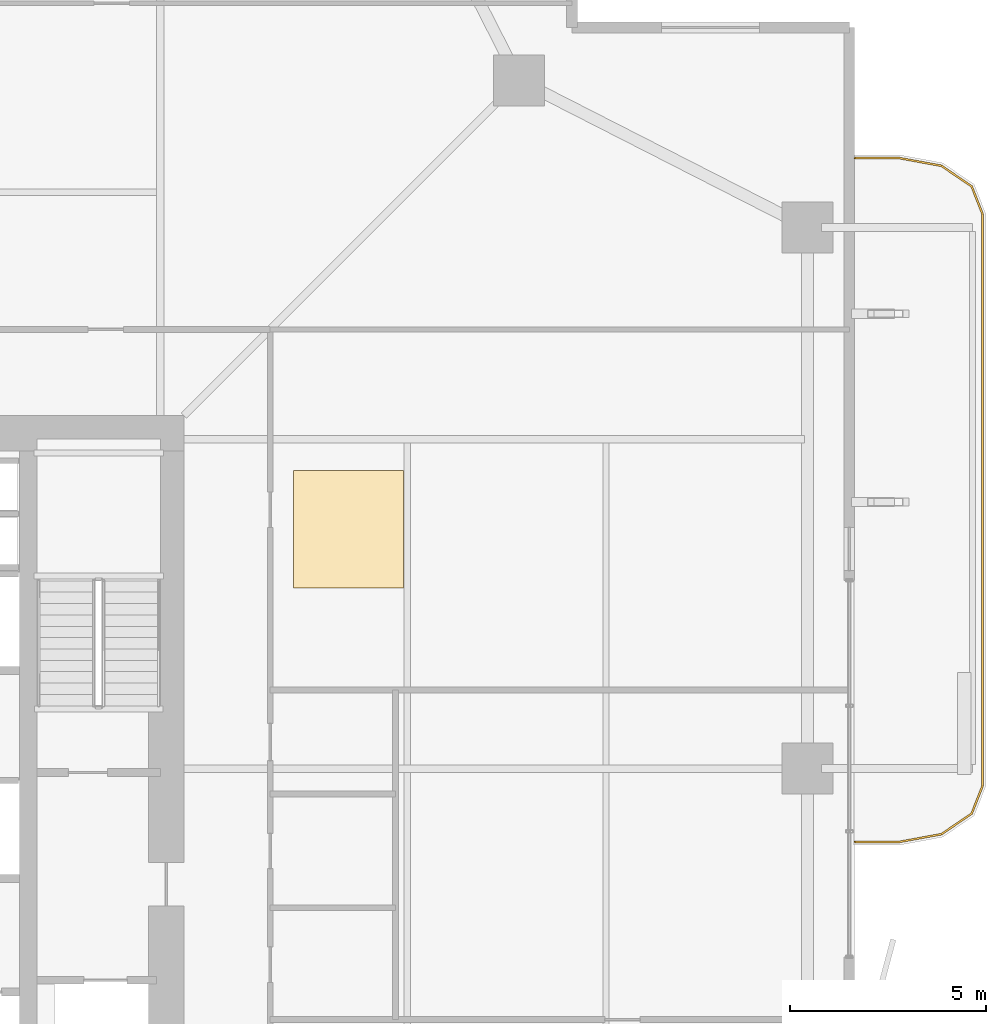
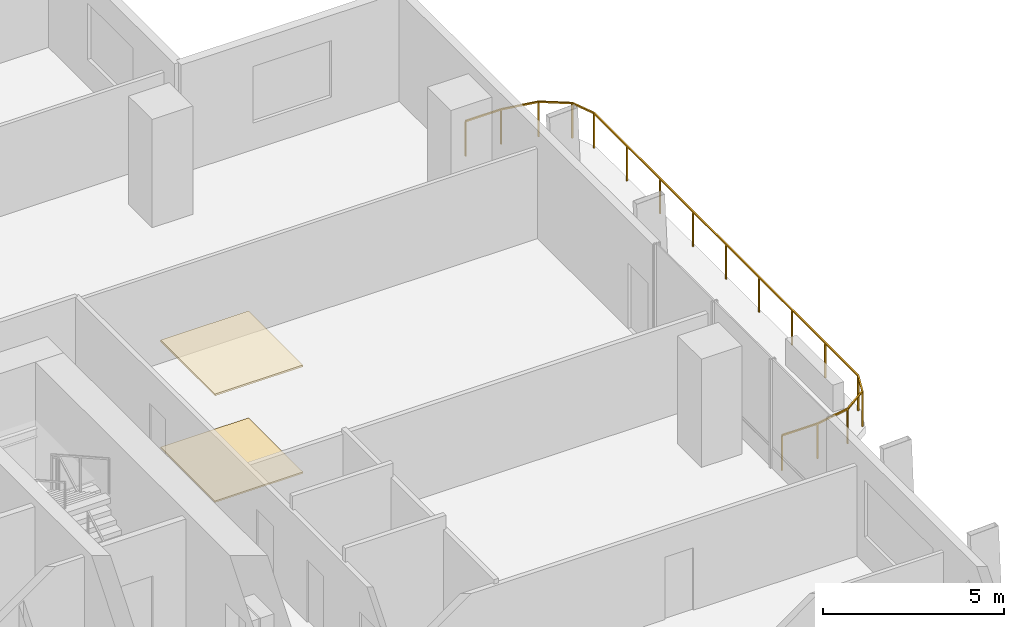
# One storey, part 24 of 24: 2 coverings, 1 railing.
"""IFC4 building model written with IfcOpenShell, lengths in metres."""

from ifc_helpers import new_model, si_unit, direction, frame, origin, origin_2d, place, context, subcontext, project, spatial, polyline, rectangle, outline, extrude, material, layer, layer_set, type_object, element, save


model = new_model("IFC4")

# Units and contexts
model_context = context("Model", 3, precision=1e-05, world=origin(), true_north=direction((0.0, 1.0)))
body_context = subcontext(model_context, "Body", "Model", "MODEL_VIEW")
ifc_project = project(units=[si_unit("LENGTHUNIT", "METRE"), si_unit("AREAUNIT", "SQUARE_METRE"), si_unit("VOLUMEUNIT", "CUBIC_METRE"), si_unit("PLANEANGLEUNIT", "RADIAN"), si_unit("MASSUNIT", "GRAM", prefix="KILO")], contexts=[model_context])

# Site, building, storey
site_placement = place(None, origin())
site = spatial("IfcSite", under=ifc_project, at=site_placement, CompositionType="ELEMENT")
building_placement = place(site_placement, origin())
building = spatial("IfcBuilding", under=site, at=building_placement, Name="Belovzor Exchange Tower", CompositionType="ELEMENT")
storey_placement = place(building_placement, frame((0.0, 0.0, 117.300048828125)))
storey = spatial("IfcBuildingStorey", under=building, at=storey_placement, Name="L28", CompositionType="ELEMENT", Elevation=117.300048828125)

# Railing
ifc_material_1 = material(Name="Stainless Steel and Laminated Safety Glass", Category="steel")
railing_type = type_object("IfcRailingType", Name="Laminated Glass & Stainless Steel Balcony Balustrade 1200", PredefinedType="BALUSTRADE", material=ifc_material_1)
railing_placement = place(storey_placement, frame((54.909912109375, 26.929931640625, 0.0)))
element("IfcRailing", 1, at=railing_placement, inside=storey, type_object=railing_type, Name="GR-1 Balcony Balustrade L28 East", PredefinedType="BALUSTRADE", context=body_context, shape_type="SweptSolid", body=[
    extrude(rectangle(XDim=0.048095703125, YDim=0.048095703125, at=origin_2d()), frame((0.0, 0.0, 1.17578125), z_axis=(1.0, 0.0, 0.0), x_axis=(0.0, 1.0, 0.0)), (0.0, 0.0, 1.0), 1.133056640625),
    extrude(rectangle(XDim=0.048095703125, YDim=0.048095703125, at=origin_2d()), frame((1.133056640625, 0.0, 1.17578125), z_axis=(0.983644145941, 0.180122719713, 0.0), x_axis=(-0.180122719713, 0.983644145941, 0.0)), (0.0, 0.0, 1.0), 1.09375),
    extrude(rectangle(XDim=0.048095703125, YDim=0.048095703125, at=origin_2d()), frame((2.208984375, 0.197021484375, 1.17578125), z_axis=(0.826493025367, 0.56294695933, 0.0), x_axis=(-0.56294695933, 0.826493025367, 0.0)), (0.0, 0.0, 1.0), 0.932861328125),
    extrude(rectangle(XDim=0.048095703125, YDim=0.048095703125, at=origin_2d()), frame((2.97998046875, 0.72216796875, 1.17578125), z_axis=(0.365612923861, 0.930766990125, 0.0), x_axis=(-0.930766990125, 0.365612923861, 0.0)), (0.0, 0.0, 1.0), 0.765869140625),
    extrude(rectangle(XDim=0.048095703125, YDim=0.048095703125, at=origin_2d()), frame((3.260009765625, 1.43505859375, 1.17578125), z_axis=(0.0, 1.0, 0.0), x_axis=(-1.0, 0.0, 0.0)), (0.0, 0.0, 1.0), 14.570068359375),
    extrude(rectangle(XDim=0.048095703125, YDim=0.048095703125, at=origin_2d()), frame((3.260009765625, 16.005126953125, 1.17578125), z_axis=(-0.365612923861, 0.930766990125, 0.0), x_axis=(-0.930766990125, -0.365612923861, 0.0)), (0.0, 0.0, 1.0), 0.765869140625),
    extrude(rectangle(XDim=0.048095703125, YDim=0.048095703125, at=origin_2d()), frame((2.97998046875, 16.718017578125, 1.17578125), z_axis=(-0.826493025367, 0.56294695933, 0.0), x_axis=(-0.56294695933, -0.826493025367, 0.0)), (0.0, 0.0, 1.0), 0.932861328125),
    extrude(rectangle(XDim=0.048095703125, YDim=0.048095703125, at=origin_2d()), frame((2.208984375, 17.2431640625, 1.17578125), z_axis=(-0.983644145941, 0.180122719713, 0.0), x_axis=(-0.180122719713, -0.983644145941, 0.0)), (0.0, 0.0, 1.0), 1.09375),
    extrude(rectangle(XDim=0.048095703125, YDim=0.048095703125, at=origin_2d()), frame((1.133056640625, 17.440185546875, 1.17578125), z_axis=(-1.0, 0.0, 0.0), x_axis=(0.0, -1.0, 0.0)), (0.0, 0.0, 1.0), 1.133056640625),
    extrude(rectangle(XDim=0.0419921875, YDim=0.0419921875, at=origin_2d()), origin(), (0.0, 0.0, 1.0), 1.15185546875),
    extrude(rectangle(XDim=0.0419921875, YDim=0.0419921875, at=origin_2d()), frame((1.133056640625, 0.0, 0.0)), (0.0, 0.0, 1.0), 1.15185546875),
    extrude(rectangle(XDim=0.0419921875, YDim=0.0419921875, at=origin_2d()), frame((2.208984375, 0.197021484375, 0.0)), (0.0, 0.0, 1.0), 1.15185546875),
    extrude(rectangle(XDim=0.0419921875, YDim=0.0419921875, at=origin_2d()), frame((2.97998046875, 0.72216796875, 0.0)), (0.0, 0.0, 1.0), 1.15185546875),
    extrude(rectangle(XDim=0.0419921875, YDim=0.0419921875, at=origin_2d()), frame((3.260009765625, 1.43505859375, 0.0)), (0.0, 0.0, 1.0), 1.15185546875),
    extrude(rectangle(XDim=0.0419921875, YDim=0.0419921875, at=origin_2d()), frame((3.260009765625, 3.25634765625, 0.0)), (0.0, 0.0, 1.0), 1.15185546875),
    extrude(rectangle(XDim=0.0419921875, YDim=0.0419921875, at=origin_2d()), frame((3.260009765625, 5.07763671875, 0.0)), (0.0, 0.0, 1.0), 1.15185546875),
    extrude(rectangle(XDim=0.0419921875, YDim=0.0419921875, at=origin_2d()), frame((3.260009765625, 6.89892578125, 0.0)), (0.0, 0.0, 1.0), 1.15185546875),
    extrude(rectangle(XDim=0.0419921875, YDim=0.0419921875, at=origin_2d()), frame((3.260009765625, 8.72021484375, 0.0)), (0.0, 0.0, 1.0), 1.15185546875),
    extrude(rectangle(XDim=0.0419921875, YDim=0.0419921875, at=origin_2d()), frame((3.260009765625, 10.541259765625, 0.0)), (0.0, 0.0, 1.0), 1.15185546875),
    extrude(rectangle(XDim=0.0419921875, YDim=0.0419921875, at=origin_2d()), frame((3.260009765625, 12.362548828125, 0.0)), (0.0, 0.0, 1.0), 1.15185546875),
    extrude(rectangle(XDim=0.0419921875, YDim=0.0419921875, at=origin_2d()), frame((3.260009765625, 14.183837890625, 0.0)), (0.0, 0.0, 1.0), 1.15185546875),
    extrude(rectangle(XDim=0.0419921875, YDim=0.0419921875, at=origin_2d()), frame((3.260009765625, 16.005126953125, 0.0)), (0.0, 0.0, 1.0), 1.15185546875),
    extrude(rectangle(XDim=0.0419921875, YDim=0.0419921875, at=origin_2d()), frame((2.97998046875, 16.718017578125, 0.0)), (0.0, 0.0, 1.0), 1.15185546875),
    extrude(rectangle(XDim=0.0419921875, YDim=0.0419921875, at=origin_2d()), frame((2.208984375, 17.2431640625, 0.0)), (0.0, 0.0, 1.0), 1.15185546875),
    extrude(rectangle(XDim=0.0419921875, YDim=0.0419921875, at=origin_2d()), frame((1.133056640625, 17.440185546875, 0.0)), (0.0, 0.0, 1.0), 1.15185546875),
    extrude(rectangle(XDim=0.0419921875, YDim=0.0419921875, at=origin_2d()), frame((0.0, 17.440185546875, 0.0)), (0.0, 0.0, 1.0), 1.15185546875),
])

# Coverings
ifc_material_2 = material(Name="Perforated Powder-Coated Aluminium", Category="aluminium")
ifc_layer_1 = layer(ifc_material_2, 0.06005859375)
ifc_layer_set_1 = layer_set([ifc_layer_1], Name="Perforated Powder-Coated Aluminium")
covering_type_1 = type_object("IfcCoveringType", Name="Perforated Acoustic Metal Tile Suspended Ceiling 60", PredefinedType="CEILING", material=ifc_layer_set_1)
covering_1_placement = place(storey_placement, frame((0.0, 0.0, 3.58984375)))
element("IfcCovering", 2, at=covering_1_placement, inside=storey, type_object=covering_type_1, Name="CLG-AC60 Suspended Ceiling CLG-L28-Z2", PredefinedType="CEILING", context=body_context, shape_type="SweptSolid", body=[
    extrude(outline(polyline([(40.60009765625, 33.39990234375), (43.39990234375, 33.39990234375), (43.39990234375, 36.39990234375), (40.60009765625, 36.39990234375), (40.60009765625, 33.39990234375)])), origin(), (0.0, 0.0, 1.0), 0.06005859375),
])
ifc_material_3 = material(Name="Polished Natural Granite Tile", Category="masonry")
ifc_layer_2 = layer(ifc_material_3, 0.050048828125)
ifc_layer_set_2 = layer_set([ifc_layer_2], Name="Polished Natural Granite Tile")
covering_type_2 = type_object("IfcCoveringType", Name="Polished Karelian Granite & Raised Access Floor Finish 50", PredefinedType="FLOORING", material=ifc_layer_set_2)
covering_2_placement = place(storey_placement, origin())
element("IfcCovering", 3, at=covering_2_placement, inside=storey, type_object=covering_type_2, Name="FLR-GR50 Floor Finish FLR-L28-Z2", PredefinedType="FLOORING", context=body_context, shape_type="SweptSolid", body=[
    extrude(outline(polyline([(40.60009765625, 33.39990234375), (43.39990234375, 33.39990234375), (43.39990234375, 36.39990234375), (40.60009765625, 36.39990234375), (40.60009765625, 33.39990234375)])), origin(), (0.0, 0.0, 1.0), 0.050048828125),
])

save(model, "model.ifc")
